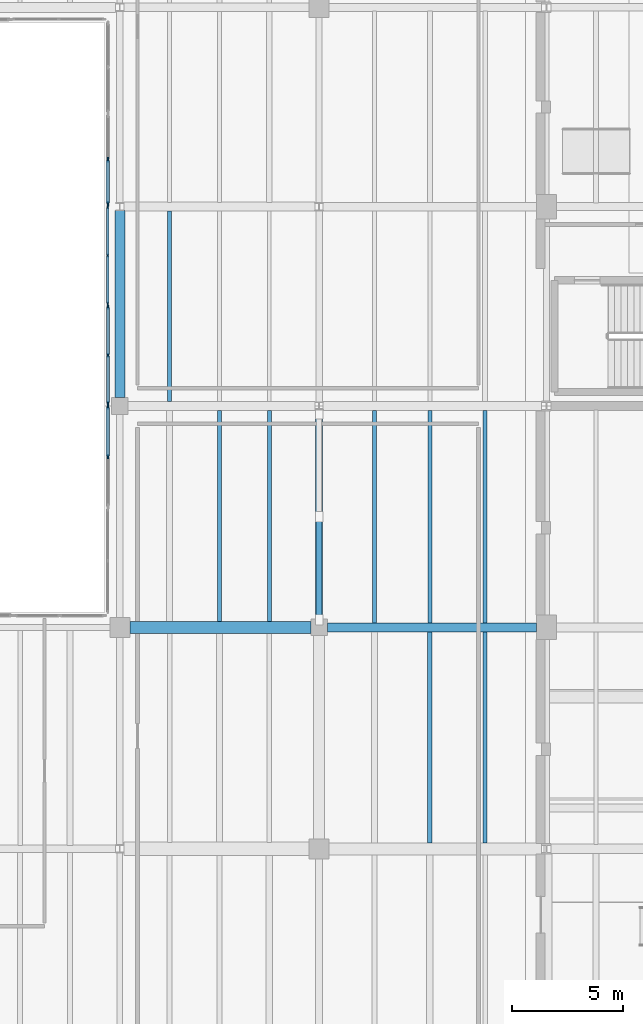
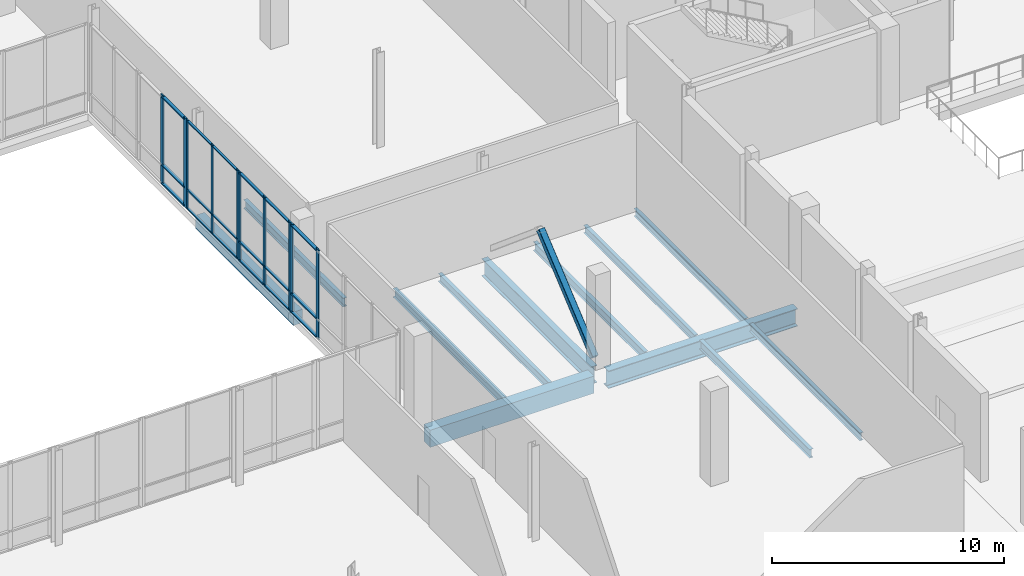
# One storey, part 38 of 88: 29 members, 12 beams, 4 elements without a shape of their own.
"""IFC4 building model written with IfcOpenShell, lengths in metres."""

from ifc_helpers import new_model, si_unit, direction, frame, origin, origin_2d, place, context, subcontext, project, spatial, rectangle, hollow_rectangle, i_section, extrude, material, material_profile, profile_set, type_object, element, aggregate, save


model = new_model("IFC4")

# Units and contexts
model_context = context("Model", 3, precision=1e-05, world=origin(), true_north=direction((0.0, 1.0)))
body_context = subcontext(model_context, "Body", "Model", "MODEL_VIEW")
ifc_project = project(units=[si_unit("LENGTHUNIT", "METRE"), si_unit("AREAUNIT", "SQUARE_METRE"), si_unit("VOLUMEUNIT", "CUBIC_METRE"), si_unit("PLANEANGLEUNIT", "RADIAN"), si_unit("MASSUNIT", "GRAM", prefix="KILO")], contexts=[model_context])

# Site, building, storey
site_placement = place(None, origin())
site = spatial("IfcSite", under=ifc_project, at=site_placement, CompositionType="ELEMENT")
building_placement = place(site_placement, origin())
building = spatial("IfcBuilding", under=site, at=building_placement, Name="Trimount Lyric Opera House", CompositionType="ELEMENT")
storey_placement = place(building_placement, origin())
storey = spatial("IfcBuildingStorey", under=building, at=storey_placement, Name="L00", CompositionType="ELEMENT", Elevation=0.0)

# Beams
ifc_material_1 = material(Name="Steel ASTM A992 Grade 50", Category="steel")
ifc_material_profile_1 = material_profile(ifc_material_1, i_section(OverallWidth=0.4189453125, OverallDepth=0.927001953125, WebThickness=0.019287109375, FlangeThickness=0.031982421875, FilletRadius=0.02392578125, at=origin_2d()), Name="W36X231")
ifc_profile_set_1 = profile_set([ifc_material_profile_1], Name="Steel ASTM A992 Grade 50")
beam_type_1 = type_object("IfcBeamType", Name="B-02", PredefinedType="BEAM", material=ifc_profile_set_1)
beam_1_placement = place(storey_placement, frame((54.375, 74.0, -0.863525390625), z_axis=(1.0, 0.0, 0.0), x_axis=(0.0, 1.0, 0.0)))
element("IfcBeam", 1, at=beam_1_placement, inside=storey, type_object=beam_type_1, Name="L00 girder X-0147", PredefinedType="BEAM", context=body_context, shape_type="SweptSolid", body=[
    extrude(i_section(OverallWidth=0.4189453125, OverallDepth=0.927001953125, WebThickness=0.019287109375, FlangeThickness=0.031982421875, FilletRadius=0.02392578125, at=origin_2d()), origin(), (0.0, 0.0, 1.0), 9.43505859375),
])
ifc_material_2 = material(Name="Steel ASTM A992 Grade 50", Category="steel")
ifc_material_profile_2 = material_profile(ifc_material_2, i_section(OverallWidth=0.304931640625, OverallDepth=0.9189453125, WebThickness=0.017333984375, FlangeThickness=0.02783203125, FilletRadius=0.02001953125, at=origin_2d()), Name="W36X170")
ifc_profile_set_2 = profile_set([ifc_material_profile_2], Name="Steel ASTM A992 Grade 50")
beam_type_2 = type_object("IfcBeamType", Name="B-03", PredefinedType="BEAM", material=ifc_profile_set_2)
beam_2_placement = place(storey_placement, frame((54.0, 74.375, -0.8095703125), z_axis=(0.0, 1.0, 0.0), x_axis=(-1.0, 0.0, 0.0)))
element("IfcBeam", 2, at=beam_2_placement, inside=storey, type_object=beam_type_2, Name="L00 girder Y-0304", PredefinedType="BEAM", context=body_context, shape_type="SweptSolid", body=[
    extrude(i_section(OverallWidth=0.304931640625, OverallDepth=0.9189453125, WebThickness=0.017333984375, FlangeThickness=0.02783203125, FilletRadius=0.02001953125, at=origin_2d()), origin(), (0.0, 0.0, 1.0), 9.447021484375),
])
ifc_material_3 = material(Name="Concrete C40/50", Category="concrete")
ifc_material_profile_3 = material_profile(ifc_material_3, rectangle(XDim=0.550048828125, YDim=0.89990234375, at=origin_2d()), Name="RC550X900")
ifc_profile_set_3 = profile_set([ifc_material_profile_3], Name="Concrete C40/50")
beam_type_3 = type_object("IfcBeamType", Name="B-14", PredefinedType="BEAM", material=ifc_profile_set_3)
beam_3_placement = place(storey_placement, frame((45.449951171875, 74.0, -0.800048828125), z_axis=(1.0, 0.0, 0.0), x_axis=(0.0, 1.0, 0.0)))
element("IfcBeam", 3, at=beam_3_placement, inside=storey, type_object=beam_type_3, Name="L00 girder X-0146", PredefinedType="BEAM", context=body_context, shape_type="SweptSolid", body=[
    extrude(rectangle(XDim=0.550048828125, YDim=0.89990234375, at=origin_2d()), origin(), (0.0, 0.0, 1.0), 8.175048828125),
])

# Member
ifc_material_4 = material(Name="Steel ASTM A500 Grade C", Category="steel")
ifc_material_profile_4 = material_profile(ifc_material_4, hollow_rectangle(XDim=0.3046875, YDim=0.3046875, WallThickness=0.01171875, InnerFilletRadius=0.01220703125, OuterFilletRadius=0.02392578125, at=origin_2d()), Name="HSS304.8X304.8X12.7")
ifc_profile_set_4 = profile_set([ifc_material_profile_4], Name="Steel ASTM A500 Grade C")
member_type_1 = type_object("IfcMemberType", Name="BR-02", PredefinedType="BRACE", material=ifc_profile_set_4)
member_1_placement = place(storey_placement, frame((54.0, 74.35009765625, 0.14990234375), z_axis=(0.0, 0.766173014074, 0.642634353661), x_axis=(-1.0, 0.0, 0.0)))
element("IfcMember", 4, at=member_1_placement, inside=storey, type_object=member_type_1, Name="L00 lateral chevron brace BF-2.1", PredefinedType="BRACE", context=body_context, shape_type="SweptSolid", body=[
    extrude(hollow_rectangle(XDim=0.3046875, YDim=0.3046875, WallThickness=0.01171875, InnerFilletRadius=0.01220703125, OuterFilletRadius=0.02392578125, at=origin_2d()), origin(), (0.0, 0.0, 1.0), 6.069091796875),
])

# Beams
ifc_material_5 = material(Name="Steel ASTM A992 Grade 50", Category="steel")
ifc_material_profile_5 = material_profile(ifc_material_5, i_section(OverallWidth=0.19091796875, OverallDepth=0.45703125, WebThickness=0.009033203125, FlangeThickness=0.014404296875, FilletRadius=0.010986328125, at=origin_2d()), Name="W18X50")
ifc_profile_set_5 = profile_set([ifc_material_profile_5], Name="Steel ASTM A992 Grade 50")
beam_type_4 = type_object("IfcBeamType", Name="J-04", PredefinedType="BEAM", material=ifc_profile_set_5)
beam_4_placement = place(storey_placement, frame((49.5, 74.27099609375, -0.57861328125), z_axis=(0.0, 1.0, 0.0), x_axis=(-1.0, 0.0, 0.0)))
element("IfcBeam", 5, at=beam_4_placement, inside=storey, type_object=beam_type_4, Name="L00 composite floor joist 0140", PredefinedType="BEAM", context=body_context, shape_type="SweptSolid", body=[
    extrude(i_section(OverallWidth=0.19091796875, OverallDepth=0.45703125, WebThickness=0.009033203125, FlangeThickness=0.014404296875, FilletRadius=0.010986328125, at=origin_2d()), origin(), (0.0, 0.0, 1.0), 9.5234375),
])
beam_5_placement = place(storey_placement, frame((47.25, 84.20556640625, -0.57861328125), z_axis=(0.0, 1.0, 0.0), x_axis=(-1.0, 0.0, 0.0)))
element("IfcBeam", 6, at=beam_5_placement, inside=storey, type_object=beam_type_4, Name="L00 composite floor joist 0142", PredefinedType="BEAM", context=body_context, shape_type="SweptSolid", body=[
    extrude(i_section(OverallWidth=0.19091796875, OverallDepth=0.45703125, WebThickness=0.009033203125, FlangeThickness=0.014404296875, FilletRadius=0.010986328125, at=origin_2d()), origin(), (0.0, 0.0, 1.0), 8.597900390625),
])
beam_6_placement = place(storey_placement, frame((59.0, 64.27099609375, -0.57861328125), z_axis=(0.0, 1.0, 0.0), x_axis=(-1.0, 0.0, 0.0)))
element("IfcBeam", 7, at=beam_6_placement, inside=storey, type_object=beam_type_4, Name="L00 composite floor joist 0173", PredefinedType="BEAM", context=body_context, shape_type="SweptSolid", body=[
    extrude(i_section(OverallWidth=0.19091796875, OverallDepth=0.45703125, WebThickness=0.009033203125, FlangeThickness=0.014404296875, FilletRadius=0.010986328125, at=origin_2d()), origin(), (0.0, 0.0, 1.0), 9.5234375),
])
beam_7_placement = place(storey_placement, frame((56.5, 74.20556640625, -0.57861328125), z_axis=(0.0, 1.0, 0.0), x_axis=(-1.0, 0.0, 0.0)))
element("IfcBeam", 8, at=beam_7_placement, inside=storey, type_object=beam_type_4, Name="L00 composite floor joist 0175", PredefinedType="BEAM", context=body_context, shape_type="SweptSolid", body=[
    extrude(i_section(OverallWidth=0.19091796875, OverallDepth=0.45703125, WebThickness=0.009033203125, FlangeThickness=0.014404296875, FilletRadius=0.010986328125, at=origin_2d()), origin(), (0.0, 0.0, 1.0), 9.597900390625),
])
ifc_material_6 = material(Name="Steel ASTM A992 Grade 50", Category="steel")
ifc_material_profile_6 = material_profile(ifc_material_6, i_section(OverallWidth=0.180908203125, OverallDepth=0.4169921875, WebThickness=0.010986328125, FlangeThickness=0.018310546875, FilletRadius=0.010986328125, at=origin_2d()), Name="W16X57")
ifc_profile_set_6 = profile_set([ifc_material_profile_6], Name="Steel ASTM A992 Grade 50")
beam_type_5 = type_object("IfcBeamType", Name="J-05", PredefinedType="BEAM", material=ifc_profile_set_6)
for number, where, z_axis, x_axis, name in (
    (9, (51.75, 74.27099609375, -0.55859375), (0.0, 1.0, 0.0), (-1.0, 0.0, 0.0), "L00 composite floor joist 0141"),
    (10, (61.5, 64.27099609375, -0.55859375), (0.0, 1.0, 0.0), (-1.0, 0.0, 0.0), "L00 composite floor joist 0174"),
):
    element("IfcBeam", number, at=place(storey_placement, frame(where, z_axis=z_axis, x_axis=x_axis)), inside=storey, type_object=beam_type_5, Name=name, PredefinedType="BEAM", context=body_context, shape_type="SweptSolid", body=[
        extrude(i_section(OverallWidth=0.180908203125, OverallDepth=0.4169921875, WebThickness=0.010986328125, FlangeThickness=0.018310546875, FilletRadius=0.010986328125, at=origin_2d()), origin(), (0.0, 0.0, 1.0), 9.5234375),
    ])
beam_8_placement = place(storey_placement, frame((59.0, 74.20556640625, -0.55859375), z_axis=(0.0, 1.0, 0.0), x_axis=(-1.0, 0.0, 0.0)))
element("IfcBeam", 11, at=beam_8_placement, inside=storey, type_object=beam_type_5, Name="L00 composite floor joist 0176", PredefinedType="BEAM", context=body_context, shape_type="SweptSolid", body=[
    extrude(i_section(OverallWidth=0.180908203125, OverallDepth=0.4169921875, WebThickness=0.010986328125, FlangeThickness=0.018310546875, FilletRadius=0.010986328125, at=origin_2d()), origin(), (0.0, 0.0, 1.0), 9.597900390625),
])
ifc_material_7 = material(Name="Steel ASTM A992 Grade 50", Category="steel")
ifc_material_profile_7 = material_profile(ifc_material_7, i_section(OverallWidth=0.177978515625, OverallDepth=0.404052734375, WebThickness=0.007568359375, FlangeThickness=0.010986328125, FilletRadius=0.010009765625, at=origin_2d()), Name="W16X36")
ifc_profile_set_7 = profile_set([ifc_material_profile_7], Name="Steel ASTM A992 Grade 50")
beam_type_6 = type_object("IfcBeamType", Name="J-06", PredefinedType="BEAM", material=ifc_profile_set_7)
beam_9_placement = place(storey_placement, frame((61.5, 74.20556640625, -0.552001953125), z_axis=(0.0, 1.0, 0.0), x_axis=(-1.0, 0.0, 0.0)))
element("IfcBeam", 12, at=beam_9_placement, inside=storey, type_object=beam_type_6, Name="L00 composite floor joist 0177", PredefinedType="BEAM", context=body_context, shape_type="SweptSolid", body=[
    extrude(i_section(OverallWidth=0.177978515625, OverallDepth=0.404052734375, WebThickness=0.007568359375, FlangeThickness=0.010986328125, FilletRadius=0.010009765625, at=origin_2d()), origin(), (0.0, 0.0, 1.0), 9.597900390625),
])

# Curtain wall, members
ifc_material_8 = material(Name="Thermally Broken Aluminium and Low-E Glass", Category="aluminium")
curtain_wall_type = type_object("IfcCurtainWallType", Name="CW-03", PredefinedType="NOTDEFINED", material=ifc_material_8)
curtain_wall_1_placement = place(storey_placement, origin())
curtain_wall_1 = element("IfcCurtainWall", 13, at=curtain_wall_1_placement, inside=storey, type_object=curtain_wall_type, Name="L00 curtain wall 060", PredefinedType="NOTDEFINED")
ifc_material_9 = material(Name="Anodised Aluminium 6063-T6", Category="aluminium")
ifc_material_profile_8 = material_profile(ifc_material_9, rectangle(XDim=0.070068359375, YDim=0.219970703125, at=origin_2d()), Name="ALU-MULL-70X220")
ifc_profile_set_8 = profile_set([ifc_material_profile_8], Name="Anodised Aluminium 6063-T6")
member_type_2 = type_object("IfcMemberType", Name="ML-01", PredefinedType="MULLION", material=ifc_profile_set_8)
member_2_placement = place(storey_placement, frame((44.4599609375, 81.715087890625, 0.0), z_axis=(0.0, 0.0, 1.0), x_axis=(-1.0, 0.0, 0.0)))
member_2 = element("IfcMember", 14, at=member_2_placement, type_object=member_type_2, Name="CW-03 mullion 2", PredefinedType="MULLION", context=body_context, shape_type="SweptSolid", body=[
    extrude(rectangle(XDim=0.070068359375, YDim=0.219970703125, at=origin_2d()), origin(), (0.0, 0.0, 1.0), 4.719970703125),
])
member_3_placement = place(storey_placement, frame((44.4599609375, 83.965087890625, 0.0), z_axis=(0.0, 0.0, 1.0), x_axis=(-1.0, 0.0, 0.0)))
member_3 = element("IfcMember", 15, at=member_3_placement, type_object=member_type_2, Name="CW-03 mullion 3", PredefinedType="MULLION", context=body_context, shape_type="SweptSolid", body=[
    extrude(rectangle(XDim=0.070068359375, YDim=0.219970703125, at=origin_2d()), origin(), (0.0, 0.0, 1.0), 4.719970703125),
])

curtain_wall_2_placement = place(storey_placement, origin())
curtain_wall_2 = element("IfcCurtainWall", 16, at=curtain_wall_2_placement, inside=storey, type_object=curtain_wall_type, Name="L00 curtain wall 063", PredefinedType="NOTDEFINED")
member_4_placement = place(storey_placement, frame((44.4599609375, 93.125, 0.0), z_axis=(0.0, 0.0, 1.0), x_axis=(-1.0, 0.0, 0.0)))
member_4 = element("IfcMember", 17, at=member_4_placement, type_object=member_type_2, Name="CW-03 mullion 1", PredefinedType="MULLION", context=body_context, shape_type="SweptSolid", body=[
    extrude(rectangle(XDim=0.070068359375, YDim=0.219970703125, at=origin_2d()), origin(), (0.0, 0.0, 1.0), 4.719970703125),
])
member_5_placement = place(storey_placement, frame((44.4599609375, 95.125, 0.0), z_axis=(0.0, 0.0, 1.0), x_axis=(-1.0, 0.0, 0.0)))
member_5 = element("IfcMember", 18, at=member_5_placement, type_object=member_type_2, Name="CW-03 mullion 2", PredefinedType="MULLION", context=body_context, shape_type="SweptSolid", body=[
    extrude(rectangle(XDim=0.070068359375, YDim=0.219970703125, at=origin_2d()), origin(), (0.0, 0.0, 1.0), 4.719970703125),
])

curtain_wall_3_placement = place(storey_placement, origin())
curtain_wall_3 = element("IfcCurtainWall", 19, at=curtain_wall_3_placement, inside=storey, type_object=curtain_wall_type, Name="L00 curtain wall 061", PredefinedType="NOTDEFINED")
ifc_material_10 = material(Name="Anodised Aluminium 6063-T6", Category="aluminium")
ifc_material_profile_9 = material_profile(ifc_material_10, rectangle(XDim=0.06494140625, YDim=0.179931640625, at=origin_2d()), Name="ALU-MULL-65X180")
ifc_profile_set_9 = profile_set([ifc_material_profile_9], Name="Anodised Aluminium 6063-T6")
member_type_3 = type_object("IfcMemberType", Name="ML-02", PredefinedType="MULLION", material=ifc_profile_set_9)
member_6_placement = place(storey_placement, frame((44.4599609375, 84.12255859375, 0.0), z_axis=(0.0, 0.0, 1.0), x_axis=(-1.0, 0.0, 0.0)))
member_6 = element("IfcMember", 20, at=member_6_placement, type_object=member_type_3, Name="CW-03 mullion 1", PredefinedType="MULLION", context=body_context, shape_type="SweptSolid", body=[
    extrude(rectangle(XDim=0.06494140625, YDim=0.179931640625, at=origin_2d()), origin(), (0.0, 0.0, 1.0), 4.719970703125),
])
member_7_placement = place(storey_placement, frame((44.4599609375, 86.294921875, 0.0), z_axis=(0.0, 0.0, 1.0), x_axis=(-1.0, 0.0, 0.0)))
member_7 = element("IfcMember", 21, at=member_7_placement, type_object=member_type_3, Name="CW-03 mullion 2", PredefinedType="MULLION", context=body_context, shape_type="SweptSolid", body=[
    extrude(rectangle(XDim=0.06494140625, YDim=0.179931640625, at=origin_2d()), origin(), (0.0, 0.0, 1.0), 4.719970703125),
])
member_8_placement = place(storey_placement, frame((44.4599609375, 88.467529296875, 0.0), z_axis=(0.0, 0.0, 1.0), x_axis=(-1.0, 0.0, 0.0)))
member_8 = element("IfcMember", 22, at=member_8_placement, type_object=member_type_3, Name="CW-03 mullion 3", PredefinedType="MULLION", context=body_context, shape_type="SweptSolid", body=[
    extrude(rectangle(XDim=0.06494140625, YDim=0.179931640625, at=origin_2d()), origin(), (0.0, 0.0, 1.0), 4.719970703125),
])

curtain_wall_4_placement = place(storey_placement, origin())
curtain_wall_4 = element("IfcCurtainWall", 23, at=curtain_wall_4_placement, inside=storey, type_object=curtain_wall_type, Name="L00 curtain wall 062", PredefinedType="NOTDEFINED")
ifc_material_11 = material(Name="Anodised Aluminium 6063-T6", Category="aluminium")
ifc_material_profile_10 = material_profile(ifc_material_11, rectangle(XDim=0.06005859375, YDim=0.14990234375, at=origin_2d()), Name="ALU-MULL-60X150")
ifc_profile_set_10 = profile_set([ifc_material_profile_10], Name="Anodised Aluminium 6063-T6")
member_type_4 = type_object("IfcMemberType", Name="ML-03", PredefinedType="MULLION", material=ifc_profile_set_10)
member_9_placement = place(storey_placement, frame((44.4599609375, 88.6201171875, 0.0), z_axis=(0.0, 0.0, 1.0), x_axis=(-1.0, 0.0, 0.0)))
member_9 = element("IfcMember", 24, at=member_9_placement, type_object=member_type_4, Name="CW-03 mullion 1", PredefinedType="MULLION", context=body_context, shape_type="SweptSolid", body=[
    extrude(rectangle(XDim=0.06005859375, YDim=0.14990234375, at=origin_2d()), origin(), (0.0, 0.0, 1.0), 4.719970703125),
])
member_10_placement = place(storey_placement, frame((44.4599609375, 90.794921875, 0.0), z_axis=(0.0, 0.0, 1.0), x_axis=(-1.0, 0.0, 0.0)))
member_10 = element("IfcMember", 25, at=member_10_placement, type_object=member_type_4, Name="CW-03 mullion 2", PredefinedType="MULLION", context=body_context, shape_type="SweptSolid", body=[
    extrude(rectangle(XDim=0.06005859375, YDim=0.14990234375, at=origin_2d()), origin(), (0.0, 0.0, 1.0), 4.719970703125),
])
member_11_placement = place(storey_placement, frame((44.4599609375, 92.969970703125, 0.0), z_axis=(0.0, 0.0, 1.0), x_axis=(-1.0, 0.0, 0.0)))
member_11 = element("IfcMember", 26, at=member_11_placement, type_object=member_type_4, Name="CW-03 mullion 3", PredefinedType="MULLION", context=body_context, shape_type="SweptSolid", body=[
    extrude(rectangle(XDim=0.06005859375, YDim=0.14990234375, at=origin_2d()), origin(), (0.0, 0.0, 1.0), 4.719970703125),
])

# Beam
ifc_material_12 = material(Name="Concrete C40/50", Category="concrete")
ifc_material_profile_11 = material_profile(ifc_material_12, rectangle(XDim=0.449951171875, YDim=0.699951171875, at=origin_2d()), Name="RC450X700")
ifc_profile_set_11 = profile_set([ifc_material_profile_11], Name="Concrete C40/50")
beam_type_7 = type_object("IfcBeamType", Name="SP-02", PredefinedType="SPANDREL", material=ifc_profile_set_11)
beam_10_placement = place(storey_placement, frame((45.0, 84.375, -0.699951171875), z_axis=(0.0, 1.0, 0.0), x_axis=(-1.0, 0.0, 0.0)))
element("IfcBeam", 27, at=beam_10_placement, inside=storey, type_object=beam_type_7, Name="L00 girder Y-0292", PredefinedType="SPANDREL", context=body_context, shape_type="SweptSolid", body=[
    extrude(rectangle(XDim=0.449951171875, YDim=0.699951171875, at=origin_2d()), origin(), (0.0, 0.0, 1.0), 8.447021484375),
])

# Member
ifc_material_13 = material(Name="Anodised Aluminium 6063-T6", Category="aluminium")
ifc_material_profile_12 = material_profile(ifc_material_13, rectangle(XDim=0.159912109375, YDim=0.070068359375, at=origin_2d()), Name="ALU-TRAN-70X160")
ifc_profile_set_12 = profile_set([ifc_material_profile_12], Name="Anodised Aluminium 6063-T6")
member_type_5 = type_object("IfcMemberType", Name="TR-01", PredefinedType="USERDEFINED", material=ifc_profile_set_12)
member_12_placement = place(storey_placement, frame((44.4599609375, 81.75, 0.080078125), z_axis=(0.0, 1.0, 0.0), x_axis=(-1.0, 0.0, 0.0)))
member_12 = element("IfcMember", 28, at=member_12_placement, type_object=member_type_5, Name="CW-03 transom 2.1", ObjectType="TRANSOM", PredefinedType="USERDEFINED", context=body_context, shape_type="SweptSolid", body=[
    extrude(rectangle(XDim=0.159912109375, YDim=0.070068359375, at=origin_2d()), origin(), (0.0, 0.0, 1.0), 2.179931640625),
])

member_13_placement = place(storey_placement, frame((44.4599609375, 81.75, 1.050048828125), z_axis=(0.0, 1.0, 0.0), x_axis=(-1.0, 0.0, 0.0)))
member_13 = element("IfcMember", 29, at=member_13_placement, type_object=member_type_5, Name="CW-03 transom 2.2", ObjectType="TRANSOM", PredefinedType="USERDEFINED", context=body_context, shape_type="SweptSolid", body=[
    extrude(rectangle(XDim=0.159912109375, YDim=0.070068359375, at=origin_2d()), origin(), (0.0, 0.0, 1.0), 2.179931640625),
])

member_14_placement = place(storey_placement, frame((44.4599609375, 81.75, 4.639892578125), z_axis=(0.0, 1.0, 0.0), x_axis=(-1.0, 0.0, 0.0)))
member_14 = element("IfcMember", 30, at=member_14_placement, type_object=member_type_5, Name="CW-03 transom 2.3", ObjectType="TRANSOM", PredefinedType="USERDEFINED", context=body_context, shape_type="SweptSolid", body=[
    extrude(rectangle(XDim=0.159912109375, YDim=0.070068359375, at=origin_2d()), origin(), (0.0, 0.0, 1.0), 2.179931640625),
])

aggregate(curtain_wall_1, [member_2, member_3, member_12, member_13, member_14])

member_15_placement = place(storey_placement, frame((44.4599609375, 93.159912109375, 0.080078125), z_axis=(0.0, 1.0, 0.0), x_axis=(-1.0, 0.0, 0.0)))
member_15 = element("IfcMember", 31, at=member_15_placement, type_object=member_type_5, Name="CW-03 transom 1.1", ObjectType="TRANSOM", PredefinedType="USERDEFINED", context=body_context, shape_type="SweptSolid", body=[
    extrude(rectangle(XDim=0.159912109375, YDim=0.070068359375, at=origin_2d()), origin(), (0.0, 0.0, 1.0), 1.93017578125),
])

member_16_placement = place(storey_placement, frame((44.4599609375, 93.159912109375, 1.050048828125), z_axis=(0.0, 1.0, 0.0), x_axis=(-1.0, 0.0, 0.0)))
member_16 = element("IfcMember", 32, at=member_16_placement, type_object=member_type_5, Name="CW-03 transom 1.2", ObjectType="TRANSOM", PredefinedType="USERDEFINED", context=body_context, shape_type="SweptSolid", body=[
    extrude(rectangle(XDim=0.159912109375, YDim=0.070068359375, at=origin_2d()), origin(), (0.0, 0.0, 1.0), 1.93017578125),
])

member_17_placement = place(storey_placement, frame((44.4599609375, 93.159912109375, 4.639892578125), z_axis=(0.0, 1.0, 0.0), x_axis=(-1.0, 0.0, 0.0)))
member_17 = element("IfcMember", 33, at=member_17_placement, type_object=member_type_5, Name="CW-03 transom 1.3", ObjectType="TRANSOM", PredefinedType="USERDEFINED", context=body_context, shape_type="SweptSolid", body=[
    extrude(rectangle(XDim=0.159912109375, YDim=0.070068359375, at=origin_2d()), origin(), (0.0, 0.0, 1.0), 1.93017578125),
])

aggregate(curtain_wall_2, [member_4, member_5, member_15, member_16, member_17])

ifc_material_14 = material(Name="Anodised Aluminium 6063-T6", Category="aluminium")
ifc_material_profile_13 = material_profile(ifc_material_14, rectangle(XDim=0.135009765625, YDim=0.06494140625, at=origin_2d()), Name="ALU-TRAN-65X135")
ifc_profile_set_13 = profile_set([ifc_material_profile_13], Name="Anodised Aluminium 6063-T6")
member_type_6 = type_object("IfcMemberType", Name="TR-02", PredefinedType="USERDEFINED", material=ifc_profile_set_13)
member_18_placement = place(storey_placement, frame((44.4599609375, 84.155029296875, 0.0673828125), z_axis=(0.0, 1.0, 0.0), x_axis=(-1.0, 0.0, 0.0)))
member_18 = element("IfcMember", 34, at=member_18_placement, type_object=member_type_6, Name="CW-03 transom 1.1", ObjectType="TRANSOM", PredefinedType="USERDEFINED", context=body_context, shape_type="SweptSolid", body=[
    extrude(rectangle(XDim=0.135009765625, YDim=0.06494140625, at=origin_2d()), origin(), (0.0, 0.0, 1.0), 2.107421875),
])

member_19_placement = place(storey_placement, frame((44.4599609375, 84.155029296875, 1.050048828125), z_axis=(0.0, 1.0, 0.0), x_axis=(-1.0, 0.0, 0.0)))
member_19 = element("IfcMember", 35, at=member_19_placement, type_object=member_type_6, Name="CW-03 transom 1.2", ObjectType="TRANSOM", PredefinedType="USERDEFINED", context=body_context, shape_type="SweptSolid", body=[
    extrude(rectangle(XDim=0.135009765625, YDim=0.06494140625, at=origin_2d()), origin(), (0.0, 0.0, 1.0), 2.107421875),
])

member_20_placement = place(storey_placement, frame((44.4599609375, 84.155029296875, 4.652587890625), z_axis=(0.0, 1.0, 0.0), x_axis=(-1.0, 0.0, 0.0)))
member_20 = element("IfcMember", 36, at=member_20_placement, type_object=member_type_6, Name="CW-03 transom 1.3", ObjectType="TRANSOM", PredefinedType="USERDEFINED", context=body_context, shape_type="SweptSolid", body=[
    extrude(rectangle(XDim=0.135009765625, YDim=0.06494140625, at=origin_2d()), origin(), (0.0, 0.0, 1.0), 2.107421875),
])

member_21_placement = place(storey_placement, frame((44.4599609375, 86.327392578125, 0.0673828125), z_axis=(0.0, 1.0, 0.0), x_axis=(-1.0, 0.0, 0.0)))
member_21 = element("IfcMember", 37, at=member_21_placement, type_object=member_type_6, Name="CW-03 transom 2.1", ObjectType="TRANSOM", PredefinedType="USERDEFINED", context=body_context, shape_type="SweptSolid", body=[
    extrude(rectangle(XDim=0.135009765625, YDim=0.06494140625, at=origin_2d()), origin(), (0.0, 0.0, 1.0), 2.107666015625),
])

member_22_placement = place(storey_placement, frame((44.4599609375, 86.327392578125, 1.050048828125), z_axis=(0.0, 1.0, 0.0), x_axis=(-1.0, 0.0, 0.0)))
member_22 = element("IfcMember", 38, at=member_22_placement, type_object=member_type_6, Name="CW-03 transom 2.2", ObjectType="TRANSOM", PredefinedType="USERDEFINED", context=body_context, shape_type="SweptSolid", body=[
    extrude(rectangle(XDim=0.135009765625, YDim=0.06494140625, at=origin_2d()), origin(), (0.0, 0.0, 1.0), 2.107666015625),
])

member_23_placement = place(storey_placement, frame((44.4599609375, 86.327392578125, 4.652587890625), z_axis=(0.0, 1.0, 0.0), x_axis=(-1.0, 0.0, 0.0)))
member_23 = element("IfcMember", 39, at=member_23_placement, type_object=member_type_6, Name="CW-03 transom 2.3", ObjectType="TRANSOM", PredefinedType="USERDEFINED", context=body_context, shape_type="SweptSolid", body=[
    extrude(rectangle(XDim=0.135009765625, YDim=0.06494140625, at=origin_2d()), origin(), (0.0, 0.0, 1.0), 2.107666015625),
])

aggregate(curtain_wall_3, [member_6, member_7, member_8, member_18, member_19, member_20, member_21, member_22, member_23])

ifc_material_15 = material(Name="Anodised Aluminium 6063-T6", Category="aluminium")
ifc_material_profile_14 = material_profile(ifc_material_15, rectangle(XDim=0.114990234375, YDim=0.06005859375, at=origin_2d()), Name="ALU-TRAN-60X115")
ifc_profile_set_14 = profile_set([ifc_material_profile_14], Name="Anodised Aluminium 6063-T6")
member_type_7 = type_object("IfcMemberType", Name="TR-03", PredefinedType="USERDEFINED", material=ifc_profile_set_14)
member_24_placement = place(storey_placement, frame((44.4599609375, 88.64990234375, 0.0576171875), z_axis=(0.0, 1.0, 0.0), x_axis=(-1.0, 0.0, 0.0)))
member_24 = element("IfcMember", 40, at=member_24_placement, type_object=member_type_7, Name="CW-03 transom 1.1", ObjectType="TRANSOM", PredefinedType="USERDEFINED", context=body_context, shape_type="SweptSolid", body=[
    extrude(rectangle(XDim=0.114990234375, YDim=0.06005859375, at=origin_2d()), origin(), (0.0, 0.0, 1.0), 2.114990234375),
])

member_25_placement = place(storey_placement, frame((44.4599609375, 88.64990234375, 1.050048828125), z_axis=(0.0, 1.0, 0.0), x_axis=(-1.0, 0.0, 0.0)))
member_25 = element("IfcMember", 41, at=member_25_placement, type_object=member_type_7, Name="CW-03 transom 1.2", ObjectType="TRANSOM", PredefinedType="USERDEFINED", context=body_context, shape_type="SweptSolid", body=[
    extrude(rectangle(XDim=0.114990234375, YDim=0.06005859375, at=origin_2d()), origin(), (0.0, 0.0, 1.0), 2.114990234375),
])

member_26_placement = place(storey_placement, frame((44.4599609375, 88.64990234375, 4.66259765625), z_axis=(0.0, 1.0, 0.0), x_axis=(-1.0, 0.0, 0.0)))
member_26 = element("IfcMember", 42, at=member_26_placement, type_object=member_type_7, Name="CW-03 transom 1.3", ObjectType="TRANSOM", PredefinedType="USERDEFINED", context=body_context, shape_type="SweptSolid", body=[
    extrude(rectangle(XDim=0.114990234375, YDim=0.06005859375, at=origin_2d()), origin(), (0.0, 0.0, 1.0), 2.114990234375),
])

member_27_placement = place(storey_placement, frame((44.4599609375, 90.824951171875, 0.0576171875), z_axis=(0.0, 1.0, 0.0), x_axis=(-1.0, 0.0, 0.0)))
member_27 = element("IfcMember", 43, at=member_27_placement, type_object=member_type_7, Name="CW-03 transom 2.1", ObjectType="TRANSOM", PredefinedType="USERDEFINED", context=body_context, shape_type="SweptSolid", body=[
    extrude(rectangle(XDim=0.114990234375, YDim=0.06005859375, at=origin_2d()), origin(), (0.0, 0.0, 1.0), 2.114990234375),
])

member_28_placement = place(storey_placement, frame((44.4599609375, 90.824951171875, 1.050048828125), z_axis=(0.0, 1.0, 0.0), x_axis=(-1.0, 0.0, 0.0)))
member_28 = element("IfcMember", 44, at=member_28_placement, type_object=member_type_7, Name="CW-03 transom 2.2", ObjectType="TRANSOM", PredefinedType="USERDEFINED", context=body_context, shape_type="SweptSolid", body=[
    extrude(rectangle(XDim=0.114990234375, YDim=0.06005859375, at=origin_2d()), origin(), (0.0, 0.0, 1.0), 2.114990234375),
])

member_29_placement = place(storey_placement, frame((44.4599609375, 90.824951171875, 4.66259765625), z_axis=(0.0, 1.0, 0.0), x_axis=(-1.0, 0.0, 0.0)))
member_29 = element("IfcMember", 45, at=member_29_placement, type_object=member_type_7, Name="CW-03 transom 2.3", ObjectType="TRANSOM", PredefinedType="USERDEFINED", context=body_context, shape_type="SweptSolid", body=[
    extrude(rectangle(XDim=0.114990234375, YDim=0.06005859375, at=origin_2d()), origin(), (0.0, 0.0, 1.0), 2.114990234375),
])

aggregate(curtain_wall_4, [member_9, member_10, member_11, member_24, member_25, member_26, member_27, member_28, member_29])

save(model, "model.ifc")
